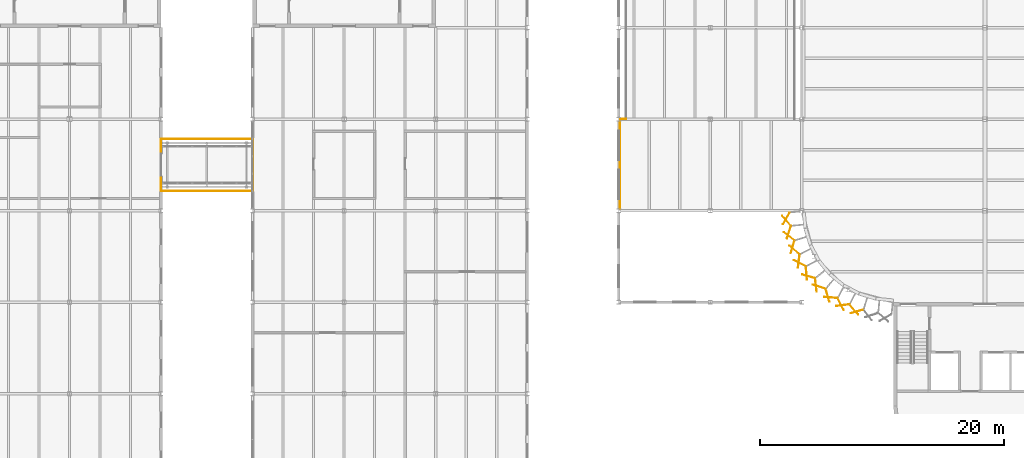
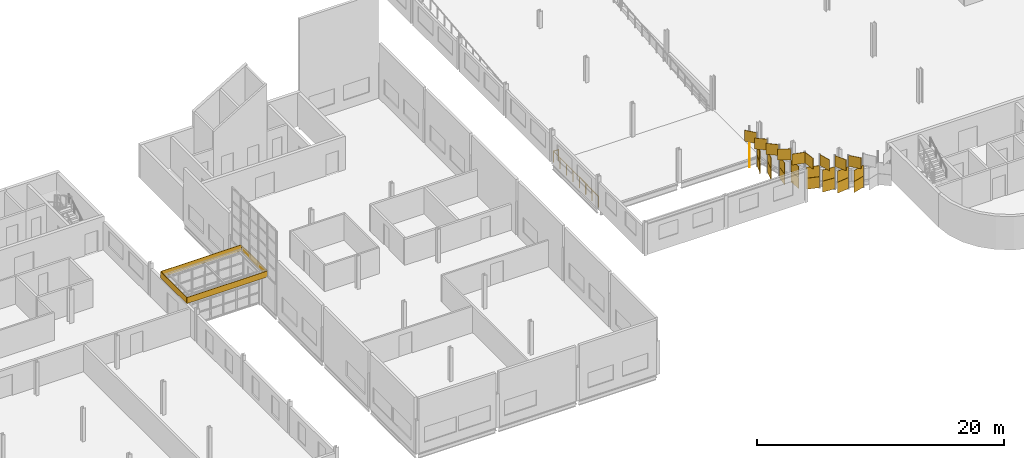
# One storey, part 185 of 198: 31 coverings, 1 railing.
"""IFC4 building model written with IfcOpenShell, lengths in metres."""

from ifc_helpers import new_model, si_unit, direction, frame, origin, origin_2d, place, context, subcontext, project, spatial, polyline, rectangle, circle, outline, extrude, material, layer, layer_set, type_object, element, save


model = new_model("IFC4")

# Units and contexts
model_context = context("Model", 3, precision=1e-05, world=origin(), true_north=direction((0.0, 1.0)))
body_context = subcontext(model_context, "Body", "Model", "MODEL_VIEW")
ifc_project = project(units=[si_unit("LENGTHUNIT", "METRE"), si_unit("AREAUNIT", "SQUARE_METRE"), si_unit("VOLUMEUNIT", "CUBIC_METRE"), si_unit("PLANEANGLEUNIT", "RADIAN"), si_unit("MASSUNIT", "GRAM", prefix="KILO")], contexts=[model_context])

# Site, building, storey
site_placement = place(None, origin())
site = spatial("IfcSite", under=ifc_project, at=site_placement, CompositionType="ELEMENT")
building_placement = place(site_placement, origin())
building = spatial("IfcBuilding", under=site, at=building_placement, Name="Parallax Yard Mobility Hub", CompositionType="ELEMENT")
storey_placement = place(building_placement, frame((0.0, 0.0, 6.60009765625)))
storey = spatial("IfcBuildingStorey", under=building, at=storey_placement, Name="L02", CompositionType="ELEMENT", Elevation=6.60009765625)

# Railing
ifc_material_1 = material(Name="Steel ASTM A36", Category="steel")
railing_type = type_object("IfcRailingType", Name="Landing edge guard 1100", PredefinedType="GUARDRAIL", material=ifc_material_1)
railing_placement = place(storey_placement, frame((180.10009765625, 30.153564453125, 0.0)))
element("IfcRailing", 1, at=railing_placement, inside=storey, type_object=railing_type, Name="Ramp house south landing west edge guard level L02", PredefinedType="GUARDRAIL", context=body_context, shape_type="SweptSolid", body=[
    extrude(circle(Radius=0.02392578125, at=origin_2d()), frame((0.0, 0.0, 1.076171875), z_axis=(0.0, 1.0, 0.0), x_axis=(-1.0, 0.0, 0.0)), (0.0, 0.0, 1.0), 7.346435546875),
    extrude(circle(Radius=0.02392578125, at=origin_2d()), frame((0.0, 7.346435546875, 1.076171875), z_axis=(1.0, 0.0, 0.0), x_axis=(0.0, 1.0, 0.0)), (0.0, 0.0, 1.0), 0.5),
    extrude(circle(Radius=0.02099609375, at=origin_2d()), origin(), (0.0, 0.0, 1.0), 1.052001953125),
    extrude(circle(Radius=0.02099609375, at=origin_2d()), frame((0.0, 1.049560546875, 0.0)), (0.0, 0.0, 1.0), 1.052001953125),
    extrude(circle(Radius=0.02099609375, at=origin_2d()), frame((0.0, 2.098876953125, 0.0)), (0.0, 0.0, 1.0), 1.052001953125),
    extrude(circle(Radius=0.02099609375, at=origin_2d()), frame((0.0, 3.1484375, 0.0)), (0.0, 0.0, 1.0), 1.052001953125),
    extrude(circle(Radius=0.02099609375, at=origin_2d()), frame((0.0, 4.197998046875, 0.0)), (0.0, 0.0, 1.0), 1.052001953125),
    extrude(circle(Radius=0.02099609375, at=origin_2d()), frame((0.0, 5.24755859375, 0.0)), (0.0, 0.0, 1.0), 1.052001953125),
    extrude(circle(Radius=0.02099609375, at=origin_2d()), frame((0.0, 6.296875, 0.0)), (0.0, 0.0, 1.0), 1.052001953125),
    extrude(circle(Radius=0.02099609375, at=origin_2d()), frame((0.0, 7.346435546875, 0.0)), (0.0, 0.0, 1.0), 1.052001953125),
    extrude(circle(Radius=0.02099609375, at=origin_2d()), frame((0.5, 7.346435546875, 0.0)), (0.0, 0.0, 1.0), 1.052001953125),
])

# Coverings
ifc_material_2 = material(Name="Aluminium composite fascia panel", Category="aluminium")
ifc_layer_1 = layer(ifc_material_2, 0.0400390625)
ifc_layer_set_1 = layer_set([ifc_layer_1], Name="Roof fascia 600")
covering_type_1 = type_object("IfcCoveringType", Name="Roof fascia 600", PredefinedType="CLADDING", material=ifc_layer_set_1)
covering_1_placement = place(storey_placement, frame((142.5, 31.64990234375, 3.368896484375), z_axis=(0.0, 1.0, 0.0), x_axis=(1.0, 0.0, 0.0)))
element("IfcCovering", 2, at=covering_1_placement, inside=storey, type_object=covering_type_1, Name="Fascia on roof edge BR-BR3-RF edge 1", PredefinedType="CLADDING", context=body_context, shape_type="SweptSolid", body=[
    extrude(outline(polyline([(0.0, 0.0), (7.5, 0.0), (7.5, 0.60009765625), (0.0, 0.60009765625), (0.0, 0.0)])), origin(), (0.0, 0.0, -1.0), 0.0400390625),
])
covering_2_placement = place(storey_placement, frame((150.0, 31.64990234375, 3.368896484375), z_axis=(-1.0, 0.0, 0.0), x_axis=(0.0, 1.0, 0.0)))
element("IfcCovering", 3, at=covering_2_placement, inside=storey, type_object=covering_type_1, Name="Fascia on roof edge BR-BR3-RF edge 2", PredefinedType="CLADDING", context=body_context, shape_type="SweptSolid", body=[
    extrude(outline(polyline([(0.0, 0.0), (4.2001953125, 0.0), (4.2001953125, 0.60009765625), (0.0, 0.60009765625), (0.0, 0.0)])), origin(), (0.0, 0.0, -1.0), 0.0400390625),
])
covering_3_placement = place(storey_placement, frame((150.0, 35.85009765625, 3.368896484375), z_axis=(0.0, -1.0, 0.0), x_axis=(-1.0, 0.0, 0.0)))
element("IfcCovering", 4, at=covering_3_placement, inside=storey, type_object=covering_type_1, Name="Fascia on roof edge BR-BR3-RF edge 3", PredefinedType="CLADDING", context=body_context, shape_type="SweptSolid", body=[
    extrude(outline(polyline([(0.0, 0.0), (7.5, 0.0), (7.5, 0.60009765625), (0.0, 0.60009765625), (0.0, 0.0)])), origin(), (0.0, 0.0, -1.0), 0.0400390625),
])
covering_4_placement = place(storey_placement, frame((142.5, 35.85009765625, 3.368896484375), z_axis=(1.0, 0.0, 0.0), x_axis=(0.0, -1.0, 0.0)))
element("IfcCovering", 5, at=covering_4_placement, inside=storey, type_object=covering_type_1, Name="Fascia on roof edge BR-BR3-RF edge 4", PredefinedType="CLADDING", context=body_context, shape_type="SweptSolid", body=[
    extrude(outline(polyline([(0.0, 0.0), (4.2001953125, 0.0), (4.2001953125, 0.60009765625), (0.0, 0.60009765625), (0.0, 0.0)])), origin(), (0.0, 0.0, -1.0), 0.0400390625),
])
ifc_material_3 = material(Name="Aluminium panel, champagne finish", Category="aluminium")
ifc_layer_2 = layer(ifc_material_3, 0.030029296875)
ifc_layer_set_2 = layer_set([ifc_layer_2], Name="Skin panel 32.5 degree turn, champagne finish")
covering_type_2 = type_object("IfcCoveringType", Name="Skin panel 32.5 degree turn, champagne finish", PredefinedType="CLADDING", material=ifc_layer_set_2)
for number, where, z_axis, x_axis, name in (
    (6, (194.244140625, 27.02880859375, 1.119873046875), (0.0, 0.0, 1.0), (-0.269340053953, -0.963045136708, 0.0), "Skin panel 32.5 bay 30.3 row 2 level L02"),
    (7, (194.3994140625, 26.7724609375, 2.219970703125), (0.0, 0.0, 1.0), (-0.758987281247, 0.651105449912, 0.0), "Skin panel 32.5 bay 30.3 row 3 level L02"),
    (8, (196.43359375, 23.7685546875, 1.119873046875), (0.0, 0.0, 1.0), (-0.950380082985, 0.311091140771, 0.0), "Skin panel 32.5 bay 30.6 row 2 level L02"),
    (9, (196.1591796875, 23.913330078125, 2.219970703125), (0.0, 0.0, 1.0), (0.119703655305, -0.992809667009, 0.0), "Skin panel 32.5 bay 30.6 row 3 level L02"),
    (10, (199.5244140625, 21.74560546875, 1.119873046875), (0.0, 0.0, 1.0), (-0.963045136708, -0.269340053953, 0.0), "Skin panel 32.5 bay 30.9 row 2 level L02"),
    (11, (199.2685546875, 21.901611328125, 2.219970703125), (0.0, 0.0, 1.0), (0.651105449912, -0.758987281247, 0.0), "Skin panel 32.5 bay 30.9 row 3 level L02"),
):
    element("IfcCovering", number, at=place(storey_placement, frame(where, z_axis=z_axis, x_axis=x_axis)), inside=storey, type_object=covering_type_2, Name=name, ObjectType="SCREEN", PredefinedType="CLADDING", context=body_context, shape_type="SweptSolid", body=[
        extrude(rectangle(XDim=1.080078125, YDim=0.030029296875, at=origin_2d()), origin(), (0.0, 0.0, 1.0), 1.080078125),
    ])
ifc_material_4 = material(Name="Aluminium panel, light oak finish", Category="aluminium")
ifc_layer_3 = layer(ifc_material_4, 0.030029296875)
ifc_layer_set_3 = layer_set([ifc_layer_3], Name="Skin panel 32.5 degree turn, oak finish")
covering_type_3 = type_object("IfcCoveringType", Name="Skin panel 32.5 degree turn, oak finish", PredefinedType="CLADDING", material=ifc_layer_set_3)
for number, where, z_axis, x_axis, name in (
    (12, (194.244140625, 27.02880859375, 0.019775390625), (0.0, 0.0, 1.0), (-0.269340053953, -0.963045136708, 0.0), "Skin panel 32.5 bay 30.3 row 1 level L02"),
    (13, (196.43359375, 23.7685546875, 0.019775390625), (0.0, 0.0, 1.0), (-0.950380082985, 0.311091140771, 0.0), "Skin panel 32.5 bay 30.6 row 1 level L02"),
    (14, (199.5244140625, 21.74560546875, 0.019775390625), (0.0, 0.0, 1.0), (-0.963045136708, -0.269340053953, 0.0), "Skin panel 32.5 bay 30.9 row 1 level L02"),
):
    element("IfcCovering", number, at=place(storey_placement, frame(where, z_axis=z_axis, x_axis=x_axis)), inside=storey, type_object=covering_type_3, Name=name, ObjectType="SCREEN", PredefinedType="CLADDING", context=body_context, shape_type="SweptSolid", body=[
        extrude(rectangle(XDim=1.080078125, YDim=0.030029296875, at=origin_2d()), origin(), (0.0, 0.0, 1.0), 1.080078125),
    ])
ifc_layer_4 = layer(ifc_material_3, 0.030029296875)
ifc_layer_set_4 = layer_set([ifc_layer_4], Name="Skin panel 35 degree turn, champagne finish")
covering_type_4 = type_object("IfcCoveringType", Name="Skin panel 35 degree turn, champagne finish", PredefinedType="CLADDING", material=ifc_layer_set_4)
for number, where, z_axis, x_axis, name in (
    (15, (193.736328125, 29.37158203125, 1.119873046875), (0.0, 0.0, 1.0), (-0.490523568159, -0.87142792535, 0.0), "Skin panel 35 bay 30.1 row 2 level L02"),
    (16, (193.754638671875, 29.185791015625, 2.219970703125), (0.0, 0.0, 1.0), (-0.651105449912, 0.758987281247, 0.0), "Skin panel 35 bay 30.1 row 3 level L02"),
    (17, (193.94384765625, 28.23486328125, 1.119873046875), (0.0, 0.0, 1.0), (-0.311091140771, -0.950380082985, 0.0), "Skin panel 35 bay 30.2 row 2 level L02"),
    (18, (193.956298828125, 27.907958984375, 2.219970703125), (0.0, 0.0, 1.0), (-0.786665714369, 0.617379181571, 0.0), "Skin panel 35 bay 30.2 row 3 level L02"),
    (19, (194.755126953125, 25.85791015625, 1.119873046875), (0.0, 0.0, 1.0), (-0.119703655305, -0.992809667009, 0.0), "Skin panel 35 bay 30.4 row 2 level L02"),
    (20, (194.843017578125, 25.693115234375, 2.219970703125), (0.0, 0.0, 1.0), (-0.891994856589, 0.452045546177, 0.0), "Skin panel 35 bay 30.4 row 3 level L02"),
    (21, (195.3818359375, 24.886962890625, 1.119873046875), (0.0, 0.0, 1.0), (0.076283974504, -0.997086132304, 0.0), "Skin panel 35 bay 30.5 row 2 level L02"),
    (22, (195.556884765625, 24.615478515625, 2.219970703125), (0.0, 0.0, 1.0), (-0.963045136708, 0.269340053953, 0.0), "Skin panel 35 bay 30.5 row 3 level L02"),
    (23, (197.383056640625, 22.8837890625, 1.119873046875), (0.0, 0.0, 1.0), (-0.997086132304, 0.076283974504, 0.0), "Skin panel 35 bay 30.7 row 2 level L02"),
    (24, (197.112060546875, 23.059814453125, 2.219970703125), (0.0, 0.0, 1.0), (0.269340053953, -0.963045136708, 0.0), "Skin panel 35 bay 30.7 row 3 level L02"),
    (25, (198.35400390625, 22.257080078125, 1.119873046875), (0.0, 0.0, 1.0), (-0.992809667009, -0.119703655305, 0.0), "Skin panel 35 bay 30.8 row 2 level L02"),
    (26, (198.189208984375, 22.34521484375, 2.219970703125), (0.0, 0.0, 1.0), (0.452045546177, -0.891994856589, 0.0), "Skin panel 35 bay 30.8 row 3 level L02"),
):
    element("IfcCovering", number, at=place(storey_placement, frame(where, z_axis=z_axis, x_axis=x_axis)), inside=storey, type_object=covering_type_4, Name=name, ObjectType="SCREEN", PredefinedType="CLADDING", context=body_context, shape_type="SweptSolid", body=[
        extrude(rectangle(XDim=1.080078125, YDim=0.030029296875, at=origin_2d()), origin(), (0.0, 0.0, 1.0), 1.080078125),
    ])
ifc_layer_5 = layer(ifc_material_4, 0.030029296875)
ifc_layer_set_5 = layer_set([ifc_layer_5], Name="Skin panel 35 degree turn, oak finish")
covering_type_5 = type_object("IfcCoveringType", Name="Skin panel 35 degree turn, oak finish", PredefinedType="CLADDING", material=ifc_layer_set_5)
for number, where, z_axis, x_axis, name in (
    (27, (193.736328125, 29.37158203125, 0.019775390625), (0.0, 0.0, 1.0), (-0.490523568159, -0.87142792535, 0.0), "Skin panel 35 bay 30.1 row 1 level L02"),
    (28, (193.94384765625, 28.23486328125, 0.019775390625), (0.0, 0.0, 1.0), (-0.311091140771, -0.950380082985, 0.0), "Skin panel 35 bay 30.2 row 1 level L02"),
    (29, (194.755126953125, 25.85791015625, 0.019775390625), (0.0, 0.0, 1.0), (-0.119703655305, -0.992809667009, 0.0), "Skin panel 35 bay 30.4 row 1 level L02"),
    (30, (195.3818359375, 24.886962890625, 0.019775390625), (0.0, 0.0, 1.0), (0.076283974504, -0.997086132304, 0.0), "Skin panel 35 bay 30.5 row 1 level L02"),
    (31, (197.383056640625, 22.8837890625, 0.019775390625), (0.0, 0.0, 1.0), (-0.997086132304, 0.076283974504, 0.0), "Skin panel 35 bay 30.7 row 1 level L02"),
    (32, (198.35400390625, 22.257080078125, 0.019775390625), (0.0, 0.0, 1.0), (-0.992809667009, -0.119703655305, 0.0), "Skin panel 35 bay 30.8 row 1 level L02"),
):
    element("IfcCovering", number, at=place(storey_placement, frame(where, z_axis=z_axis, x_axis=x_axis)), inside=storey, type_object=covering_type_5, Name=name, ObjectType="SCREEN", PredefinedType="CLADDING", context=body_context, shape_type="SweptSolid", body=[
        extrude(rectangle(XDim=1.080078125, YDim=0.030029296875, at=origin_2d()), origin(), (0.0, 0.0, 1.0), 1.080078125),
    ])

save(model, "model.ifc")
